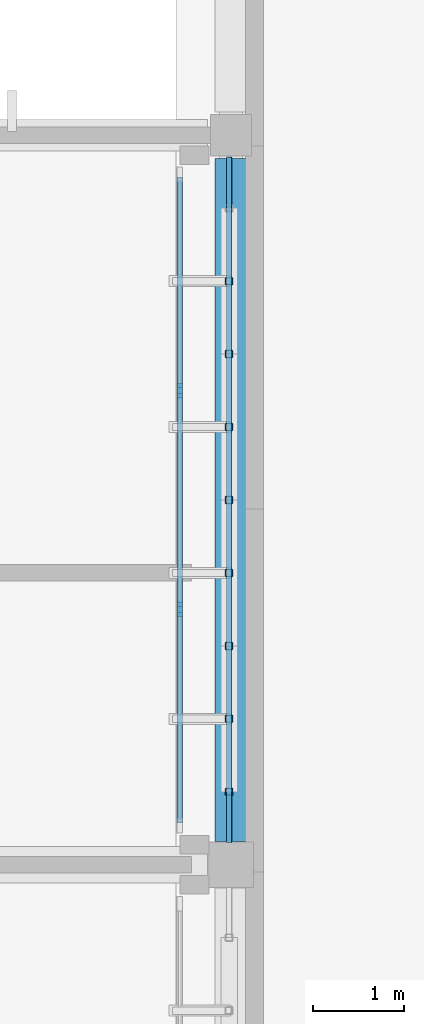
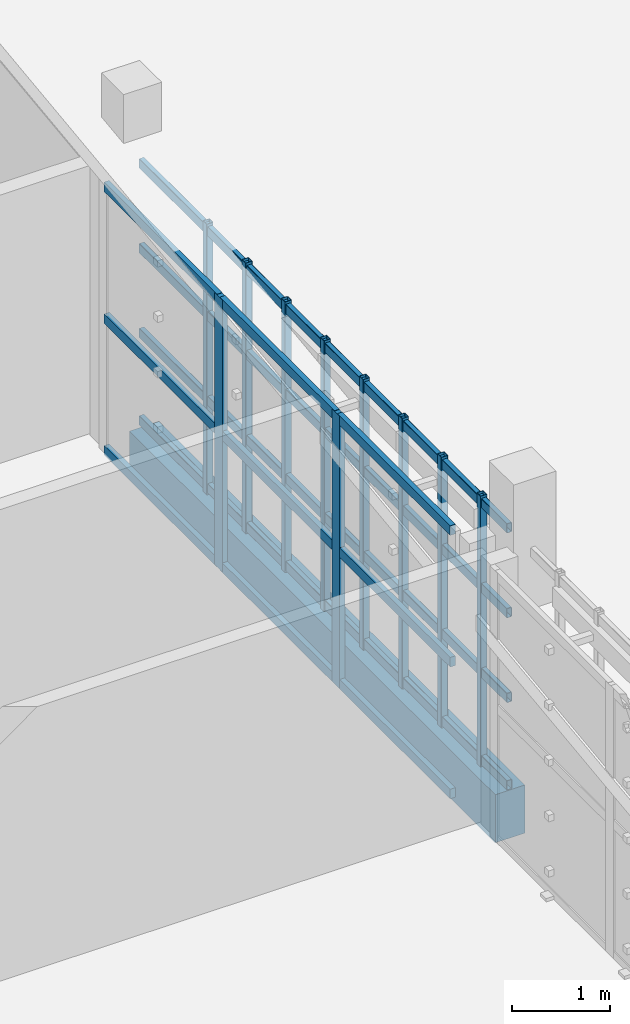
# One storey, part 40 of 83: 23 members, 1 beam, 1 element without a shape of its own.
"""IFC4 building model written with IfcOpenShell, lengths in metres."""

from ifc_helpers import new_model, si_unit, direction, frame, origin, origin_2d, place, context, subcontext, project, spatial, rectangle, hollow_rectangle, extrude, material, layer, layer_set, material_profile, profile_set, type_object, element, aggregate, save


model = new_model("IFC4")

# Units and contexts
model_context = context("Model", 3, precision=1e-05, world=origin(), true_north=direction((0.0, 1.0)))
body_context = subcontext(model_context, "Body", "Model", "MODEL_VIEW")
ifc_project = project(units=[si_unit("LENGTHUNIT", "METRE"), si_unit("AREAUNIT", "SQUARE_METRE"), si_unit("VOLUMEUNIT", "CUBIC_METRE"), si_unit("PLANEANGLEUNIT", "RADIAN"), si_unit("MASSUNIT", "GRAM", prefix="KILO")], contexts=[model_context])

# Site, building, storey
site_placement = place(None, origin())
site = spatial("IfcSite", under=ifc_project, at=site_placement, CompositionType="ELEMENT")
building_placement = place(site_placement, origin())
building = spatial("IfcBuilding", under=site, at=building_placement, Name="Jelvoka-Kovrelna Polytechnic", CompositionType="ELEMENT")
storey_placement = place(building_placement, frame((0.0, 0.0, 13.800048828125)))
storey = spatial("IfcBuildingStorey", under=building, at=storey_placement, Name="L04", CompositionType="ELEMENT", Elevation=13.800048828125)

# Members
ifc_material_1 = material(Name="Structural steel S355J2H", Category="steel")
ifc_material_profile_1 = material_profile(ifc_material_1, hollow_rectangle(XDim=0.06005859375, YDim=0.1201171875, WallThickness=0.0048828125, InnerFilletRadius=0.0048828125, OuterFilletRadius=0.007568359375, at=origin_2d()), Name="120x60x5.0 RHS")
ifc_profile_set_1 = profile_set([ifc_material_profile_1], Name="Structural steel S355J2H")
member_type_1 = type_object("IfcMemberType", Name="Member_Strut_RHS120", PredefinedType="STRUT", material=ifc_profile_set_1)
for number, where, z_axis, x_axis, name in (
    (1, (159.97998046875, 16.239990234375, 0.079833984375), (0.0, 1.0, 0.0), (-1.0, 0.0, 0.0), "L04 terracotta screen horizontal strut 0066"),
    (2, (159.97998046875, 16.239990234375, 1.17138671875), (0.0, 1.0, 0.0), (-1.0, 0.0, 0.0), "L04 terracotta screen horizontal strut 0067"),
    (3, (159.97998046875, 16.239990234375, 2.230712890625), (0.0, 1.0, 0.0), (-1.0, 0.0, 0.0), "L04 terracotta screen horizontal strut 0068"),
    (4, (159.97998046875, 16.239990234375, 3.2900390625), (0.0, 1.0, 0.0), (-1.0, 0.0, 0.0), "L04 terracotta screen horizontal strut 0069"),
):
    element("IfcMember", number, at=place(storey_placement, frame(where, z_axis=z_axis, x_axis=x_axis)), inside=storey, type_object=member_type_1, Name=name, PredefinedType="STRUT", context=body_context, shape_type="SweptSolid", body=[
        extrude(hollow_rectangle(XDim=0.06005859375, YDim=0.1201171875, WallThickness=0.0048828125, InnerFilletRadius=0.0048828125, OuterFilletRadius=0.007568359375, at=origin_2d()), origin(), (0.0, 0.0, 1.0), 7.52001953125),
    ])
ifc_material_2 = material(Name="Structural steel S355J2H", Category="steel")
ifc_material_profile_2 = material_profile(ifc_material_2, hollow_rectangle(XDim=0.080078125, YDim=0.080078125, WallThickness=0.0048828125, InnerFilletRadius=0.0048828125, OuterFilletRadius=0.007568359375, at=origin_2d()), Name="80x80x5.0 SHS")
ifc_profile_set_2 = profile_set([ifc_material_profile_2], Name="Structural steel S355J2H")
member_type_2 = type_object("IfcMemberType", Name="Member_Strut_SHS80", PredefinedType="STRUT", material=ifc_profile_set_2)
for number, where, z_axis, x_axis, name in (
    (5, (159.97998046875, 16.800048828125, -0.22998046875), (0.0, 0.0, 1.0), (1.0, 0.0, 0.0), "L04 terracotta lattice vertical rib 0070"),
    (6, (159.97998046875, 17.60009765625, -0.22998046875), (0.0, 0.0, 1.0), (1.0, 0.0, 0.0), "L04 terracotta lattice vertical rib 0071"),
    (7, (159.97998046875, 18.39990234375, -0.22998046875), (0.0, 0.0, 1.0), (1.0, 0.0, 0.0), "L04 terracotta lattice vertical rib 0072"),
    (8, (159.97998046875, 19.199951171875, -0.22998046875), (0.0, 0.0, 1.0), (1.0, 0.0, 0.0), "L04 terracotta lattice vertical rib 0073"),
    (9, (159.97998046875, 20.0, -0.22998046875), (0.0, 0.0, 1.0), (1.0, 0.0, 0.0), "L04 terracotta lattice vertical rib 0074"),
    (10, (159.97998046875, 20.800048828125, -0.22998046875), (0.0, 0.0, 1.0), (1.0, 0.0, 0.0), "L04 terracotta lattice vertical rib 0075"),
    (11, (159.97998046875, 21.60009765625, -0.22998046875), (0.0, 0.0, 1.0), (1.0, 0.0, 0.0), "L04 terracotta lattice vertical rib 0076"),
    (12, (159.97998046875, 22.39990234375, -0.22998046875), (0.0, 0.0, 1.0), (1.0, 0.0, 0.0), "L04 terracotta lattice vertical rib 0077"),
):
    element("IfcMember", number, at=place(storey_placement, frame(where, z_axis=z_axis, x_axis=x_axis)), inside=storey, type_object=member_type_2, Name=name, PredefinedType="STRUT", context=body_context, shape_type="SweptSolid", body=[
        extrude(hollow_rectangle(XDim=0.080078125, YDim=0.080078125, WallThickness=0.0048828125, InnerFilletRadius=0.0048828125, OuterFilletRadius=0.007568359375, at=origin_2d()), origin(), (0.0, 0.0, 1.0), 3.60986328125),
    ])

# Curtain wall, members
ifc_material_3 = material(Name="Anodised aluminium 6063-T6", Category="aluminium")
ifc_layer = layer(ifc_material_3, 0.159912109375)
ifc_layer_set = layer_set([ifc_layer], Name="Anodised aluminium 6063-T6")
curtain_wall_type = type_object("IfcCurtainWallType", Name="CW_Recessed_A", PredefinedType="NOTDEFINED", material=ifc_layer_set)
curtain_wall_placement = place(storey_placement, origin())
curtain_wall = element("IfcCurtainWall", 13, at=curtain_wall_placement, inside=storey, type_object=curtain_wall_type, Name="L04 glazed curtain wall 006", PredefinedType="NOTDEFINED")
ifc_material_4 = material(Name="Anodised aluminium 6063-T6", Category="aluminium")
ifc_material_profile_3 = material_profile(ifc_material_4, rectangle(XDim=0.06005859375, YDim=0.159912109375, at=origin_2d()), Name="ALU 60x160")
ifc_profile_set_3 = profile_set([ifc_material_profile_3], Name="Anodised aluminium 6063-T6")
member_type_3 = type_object("IfcMemberType", Name="Mullion_M-01", PredefinedType="MULLION", material=ifc_profile_set_3)
member_1_placement = place(storey_placement, frame((159.43994140625, 21.199951171875, -0.02490234375), z_axis=(0.0, 0.0, 1.0), x_axis=(1.0, 0.0, 0.0)))
member_1 = element("IfcMember", 14, at=member_1_placement, type_object=member_type_3, Name="CW-01 mullion 2", PredefinedType="MULLION", context=body_context, shape_type="SweptSolid", body=[
    extrude(rectangle(XDim=0.06005859375, YDim=0.159912109375, at=origin_2d()), origin(), (0.0, 0.0, 1.0), 3.39990234375),
])
member_2_placement = place(storey_placement, frame((159.43994140625, 18.800048828125, -0.02490234375), z_axis=(0.0, 0.0, 1.0), x_axis=(1.0, 0.0, 0.0)))
member_2 = element("IfcMember", 15, at=member_2_placement, type_object=member_type_3, Name="CW-01 mullion 3", PredefinedType="MULLION", context=body_context, shape_type="SweptSolid", body=[
    extrude(rectangle(XDim=0.06005859375, YDim=0.159912109375, at=origin_2d()), origin(), (0.0, 0.0, 1.0), 3.39990234375),
])

# Beam
ifc_material_5 = material(Name="Concrete C40/50", Category="concrete")
ifc_material_profile_4 = material_profile(ifc_material_5, rectangle(XDim=0.35009765625, YDim=0.60009765625, at=origin_2d()), Name="RC 350x600")
ifc_profile_set_4 = profile_set([ifc_material_profile_4], Name="Concrete C40/50")
beam_type = type_object("IfcBeamType", Name="Spandrel_RC_350x600", PredefinedType="SPANDREL", material=ifc_profile_set_4)
beam_placement = place(storey_placement, frame((160.0, 16.2548828125, -0.300048828125), z_axis=(0.0, 1.0, 0.0), x_axis=(-1.0, 0.0, 0.0)))
element("IfcBeam", 16, at=beam_placement, inside=storey, type_object=beam_type, Name="L04 beam 0272", PredefinedType="SPANDREL", context=body_context, shape_type="SweptSolid", body=[
    extrude(rectangle(XDim=0.35009765625, YDim=0.60009765625, at=origin_2d()), origin(), (0.0, 0.0, 1.0), 7.490234375),
])

# Member
ifc_material_6 = material(Name="Anodised aluminium 6063-T6", Category="aluminium")
ifc_material_profile_5 = material_profile(ifc_material_6, rectangle(XDim=0.06005859375, YDim=0.1201171875, at=origin_2d()), Name="ALU 60x120")
ifc_profile_set_5 = profile_set([ifc_material_profile_5], Name="Anodised aluminium 6063-T6")
member_type_4 = type_object("IfcMemberType", Name="Transom_T-01", PredefinedType="USERDEFINED", material=ifc_profile_set_5)
member_3_placement = place(storey_placement, frame((159.43994140625, 23.5400390625, 0.030029296875), z_axis=(0.0, -1.0, 0.0), x_axis=(1.0, 0.0, 0.0)))
member_3 = element("IfcMember", 17, at=member_3_placement, type_object=member_type_4, Name="CW-01 transom 1.1", ObjectType="TRANSOM", PredefinedType="USERDEFINED", context=body_context, shape_type="SweptSolid", body=[
    extrude(rectangle(XDim=0.06005859375, YDim=0.1201171875, at=origin_2d()), origin(), (0.0, 0.0, 1.0), 2.31005859375),
])

member_4_placement = place(storey_placement, frame((159.43994140625, 23.5400390625, 1.675048828125), z_axis=(0.0, -1.0, 0.0), x_axis=(1.0, 0.0, 0.0)))
member_4 = element("IfcMember", 18, at=member_4_placement, type_object=member_type_4, Name="CW-01 transom 1.2", ObjectType="TRANSOM", PredefinedType="USERDEFINED", context=body_context, shape_type="SweptSolid", body=[
    extrude(rectangle(XDim=0.06005859375, YDim=0.1201171875, at=origin_2d()), origin(), (0.0, 0.0, 1.0), 2.31005859375),
])

member_5_placement = place(storey_placement, frame((159.43994140625, 23.5400390625, 3.320068359375), z_axis=(0.0, -1.0, 0.0), x_axis=(1.0, 0.0, 0.0)))
member_5 = element("IfcMember", 19, at=member_5_placement, type_object=member_type_4, Name="CW-01 transom 1.3", ObjectType="TRANSOM", PredefinedType="USERDEFINED", context=body_context, shape_type="SweptSolid", body=[
    extrude(rectangle(XDim=0.06005859375, YDim=0.1201171875, at=origin_2d()), origin(), (0.0, 0.0, 1.0), 2.31005859375),
])

member_6_placement = place(storey_placement, frame((159.43994140625, 21.169921875, 0.030029296875), z_axis=(0.0, -1.0, 0.0), x_axis=(1.0, 0.0, 0.0)))
member_6 = element("IfcMember", 20, at=member_6_placement, type_object=member_type_4, Name="CW-01 transom 2.1", ObjectType="TRANSOM", PredefinedType="USERDEFINED", context=body_context, shape_type="SweptSolid", body=[
    extrude(rectangle(XDim=0.06005859375, YDim=0.1201171875, at=origin_2d()), origin(), (0.0, 0.0, 1.0), 2.33984375),
])

member_7_placement = place(storey_placement, frame((159.43994140625, 21.169921875, 1.675048828125), z_axis=(0.0, -1.0, 0.0), x_axis=(1.0, 0.0, 0.0)))
member_7 = element("IfcMember", 21, at=member_7_placement, type_object=member_type_4, Name="CW-01 transom 2.2", ObjectType="TRANSOM", PredefinedType="USERDEFINED", context=body_context, shape_type="SweptSolid", body=[
    extrude(rectangle(XDim=0.06005859375, YDim=0.1201171875, at=origin_2d()), origin(), (0.0, 0.0, 1.0), 2.33984375),
])

member_8_placement = place(storey_placement, frame((159.43994140625, 21.169921875, 3.320068359375), z_axis=(0.0, -1.0, 0.0), x_axis=(1.0, 0.0, 0.0)))
member_8 = element("IfcMember", 22, at=member_8_placement, type_object=member_type_4, Name="CW-01 transom 2.3", ObjectType="TRANSOM", PredefinedType="USERDEFINED", context=body_context, shape_type="SweptSolid", body=[
    extrude(rectangle(XDim=0.06005859375, YDim=0.1201171875, at=origin_2d()), origin(), (0.0, 0.0, 1.0), 2.33984375),
])

member_9_placement = place(storey_placement, frame((159.43994140625, 18.77001953125, 0.030029296875), z_axis=(0.0, -1.0, 0.0), x_axis=(1.0, 0.0, 0.0)))
member_9 = element("IfcMember", 23, at=member_9_placement, type_object=member_type_4, Name="CW-01 transom 3.1", ObjectType="TRANSOM", PredefinedType="USERDEFINED", context=body_context, shape_type="SweptSolid", body=[
    extrude(rectangle(XDim=0.06005859375, YDim=0.1201171875, at=origin_2d()), origin(), (0.0, 0.0, 1.0), 2.31005859375),
])

member_10_placement = place(storey_placement, frame((159.43994140625, 18.77001953125, 1.675048828125), z_axis=(0.0, -1.0, 0.0), x_axis=(1.0, 0.0, 0.0)))
member_10 = element("IfcMember", 24, at=member_10_placement, type_object=member_type_4, Name="CW-01 transom 3.2", ObjectType="TRANSOM", PredefinedType="USERDEFINED", context=body_context, shape_type="SweptSolid", body=[
    extrude(rectangle(XDim=0.06005859375, YDim=0.1201171875, at=origin_2d()), origin(), (0.0, 0.0, 1.0), 2.31005859375),
])

member_11_placement = place(storey_placement, frame((159.43994140625, 18.77001953125, 3.320068359375), z_axis=(0.0, -1.0, 0.0), x_axis=(1.0, 0.0, 0.0)))
member_11 = element("IfcMember", 25, at=member_11_placement, type_object=member_type_4, Name="CW-01 transom 3.3", ObjectType="TRANSOM", PredefinedType="USERDEFINED", context=body_context, shape_type="SweptSolid", body=[
    extrude(rectangle(XDim=0.06005859375, YDim=0.1201171875, at=origin_2d()), origin(), (0.0, 0.0, 1.0), 2.31005859375),
])

aggregate(curtain_wall, [member_1, member_2, member_3, member_4, member_5, member_6, member_7, member_8, member_9, member_10, member_11])

save(model, "model.ifc")
